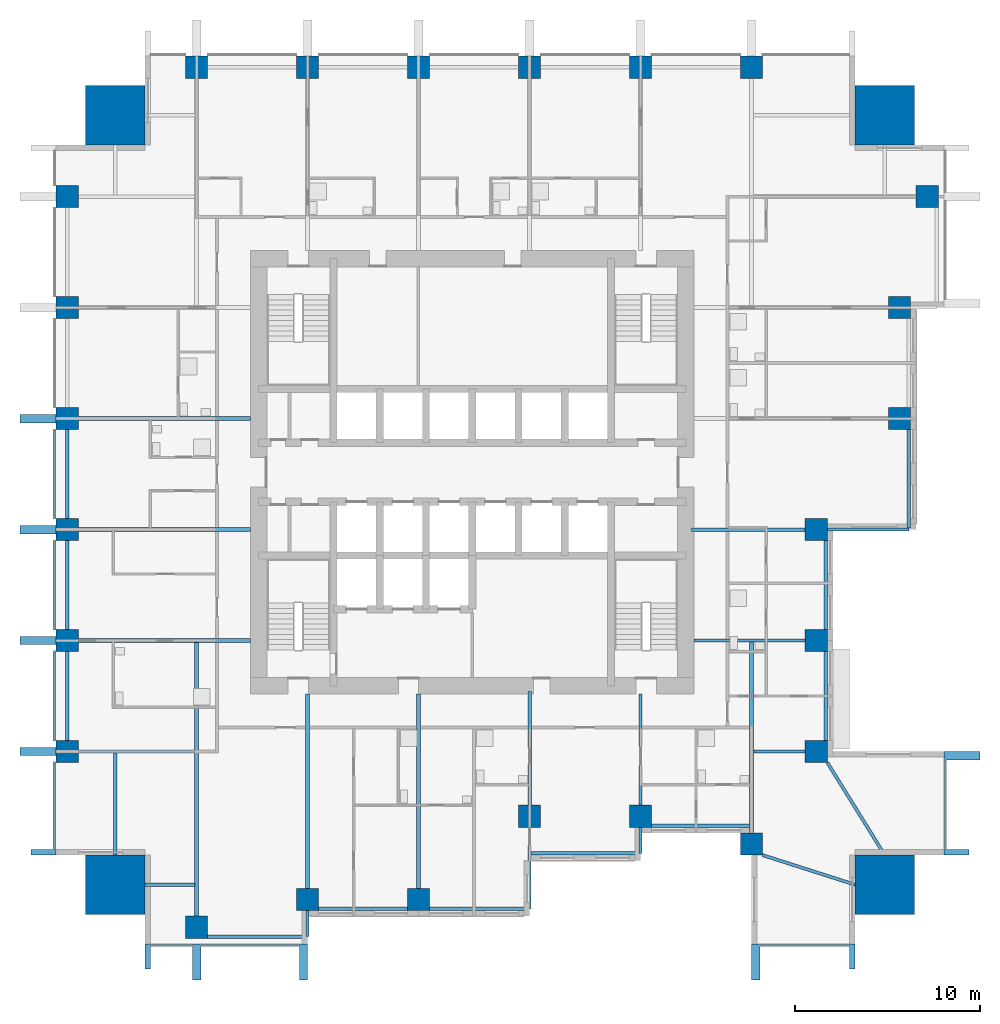
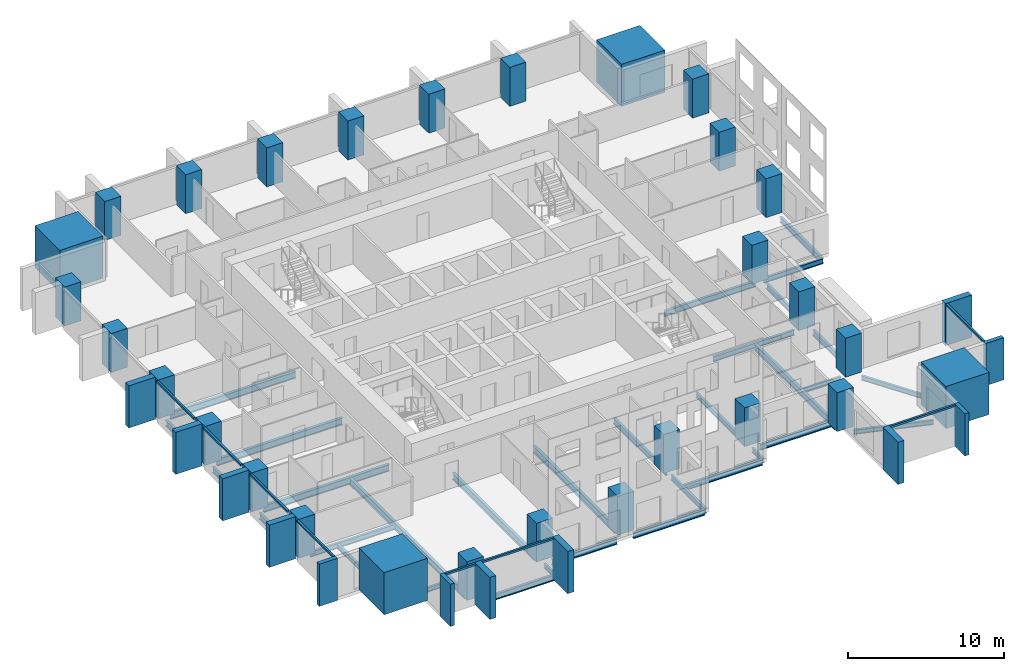
# One storey, part 1 of 11: 32 beams, 28 columns, 20 members, 4 elements without a shape of their own.
"""IFC4 building model written with IfcOpenShell, lengths in metres."""

import ifcopenshell
import ifcopenshell.guid

model = None  # the IFC model being written
_history = None  # IfcOwnerHistory: only IFC2X3 demands one
_inside = {}  # id of a spatial element -> (the spatial element, [elements in it])
_under = {}  # id of a project, library or spatial element -> (it, [spatial elements below it])
_declared = {}  # id of a project -> (the project, [libraries it declares])
_typed = {}  # id of a type object -> (the type object, [elements of that type])
_made_of = {}  # id of a material, layer set ... -> (it, [elements and type objects made of it])


def new_model(schema):
    """Start an empty IFC model of exactly this schema.

    Asked for "IFC4X3", IfcOpenShell would pick the latest addendum, in which some entities
    have other attributes; the version numbers below select the first issue.
    IFC2X3 requires an IfcOwnerHistory on every rooted entity: one is made here for all.
    """
    global model, _history
    if schema == "IFC4X3":
        model = ifcopenshell.file(schema_version=(4, 3, 0, 0))
    else:
        model = ifcopenshell.file(schema=schema)
    _inside.clear()
    _under.clear()
    _declared.clear()
    _typed.clear()
    _made_of.clear()
    _history = None
    if model.schema == "IFC2X3":
        org = make("IfcOrganization", Name="unknown")
        user = make(
            "IfcPersonAndOrganization",
            ThePerson=make("IfcPerson", FamilyName="unknown"),
            TheOrganization=org,
        )
        app = make(
            "IfcApplication",
            ApplicationDeveloper=org,
            Version="unknown",
            ApplicationFullName="unknown",
            ApplicationIdentifier="unknown",
        )
        _history = make(
            "IfcOwnerHistory",
            OwningUser=user,
            OwningApplication=app,
            ChangeAction="ADDED",
            CreationDate=0,
        )
    return model


def make(cls, **values):
    """One entity of the class cls with the attributes given. An attribute that is None is left unset."""
    return model.create_entity(
        cls, **{name: value for name, value in values.items() if value is not None}
    )


def rooted(cls, **values):
    """An entity with a GlobalId (a new one), such as an element, a storey or a relation."""
    return make(cls, GlobalId=ifcopenshell.guid.new(), OwnerHistory=_history, **values)


def si_unit(unit_type, name, prefix=None):
    """IfcSIUnit, for example si_unit("LENGTHUNIT", "METRE", prefix="MILLI")."""
    return make("IfcSIUnit", UnitType=unit_type, Prefix=prefix, Name=name)


def assignment(units):
    """IfcUnitAssignment: the units of a project."""
    return None if units is None else make("IfcUnitAssignment", Units=units)


def point(xyz):
    """IfcCartesianPoint."""
    return None if xyz is None else make("IfcCartesianPoint", Coordinates=xyz)


def direction(xyz):
    """IfcDirection."""
    return None if xyz is None else make("IfcDirection", DirectionRatios=xyz)


def frame(location, z_axis=None, x_axis=None):
    """IfcAxis2Placement3D, a coordinate frame: its origin and axes. An axis left out is left unset."""
    return make(
        "IfcAxis2Placement3D",
        Location=point(location),
        Axis=direction(z_axis),
        RefDirection=direction(x_axis),
    )


def frame_2d(location, x_axis=None):
    """IfcAxis2Placement2D, a coordinate frame in the plane: its origin and x axis."""
    return make(
        "IfcAxis2Placement2D", Location=point(location), RefDirection=direction(x_axis)
    )


def origin():
    """The frame at (0, 0, 0) with its axes left unset."""
    return frame((0.0, 0.0, 0.0))


def origin_2d():
    """The frame at (0, 0) in the plane with its x axis left unset."""
    return frame_2d((0.0, 0.0))


def place(relative_to, where):
    """IfcLocalPlacement: puts the frame where relative to a parent placement (None: the world)."""
    return make(
        "IfcLocalPlacement", PlacementRelTo=relative_to, RelativePlacement=where
    )


def context(
    kind, dimensions, precision=None, world=None, true_north=None, identifier=None
):
    """IfcGeometricRepresentationContext, for example the 3D "Model" context."""
    return make(
        "IfcGeometricRepresentationContext",
        ContextIdentifier=identifier,
        ContextType=kind,
        CoordinateSpaceDimension=dimensions,
        Precision=precision,
        WorldCoordinateSystem=world,
        TrueNorth=true_north,
    )


def subcontext(parent, identifier, kind, view, scale=None):
    """IfcGeometricRepresentationSubContext, for example "Body" below "Model"."""
    return make(
        "IfcGeometricRepresentationSubContext",
        ContextIdentifier=identifier,
        ContextType=kind,
        ParentContext=parent,
        TargetScale=scale,
        TargetView=view,
    )


def project(units=None, contexts=None):
    """IfcProject with its units and contexts."""
    return rooted(
        "IfcProject",
        Name="project",
        RepresentationContexts=contexts,
        UnitsInContext=assignment(units),
    )


def spatial(cls, under=None, at=None, **own):
    """A site, building, storey or space (cls), placed at a placement, below another one or the project."""
    s = rooted(cls, ObjectPlacement=at, **own)
    if under is not None:
        _under.setdefault(under.id(), (under, []))[1].append(s)
    return s


def profile(cls, at=None, kind="AREA", **sizes):
    """A parametric profile (cls). Its sizes go by their IFC names, for example OverallWidth=200.0."""
    return make(cls, ProfileType=kind, Position=at, **sizes)


def rectangle(**sizes):
    """IfcRectangleProfileDef."""
    return profile("IfcRectangleProfileDef", **sizes)


def i_section(**sizes):
    """IfcIShapeProfileDef."""
    return profile("IfcIShapeProfileDef", **sizes)


def extrude(swept, where, along, depth):
    """IfcExtrudedAreaSolid: the profile swept, set in the frame where, extruded along a direction by depth."""
    return make(
        "IfcExtrudedAreaSolid",
        SweptArea=swept,
        Position=where,
        ExtrudedDirection=direction(along),
        Depth=depth,
    )


def shape(context_of_items, identifier, shape_type, items):
    """IfcShapeRepresentation: the items that make up one representation, for example the "Body"."""
    return make(
        "IfcShapeRepresentation",
        ContextOfItems=context_of_items,
        RepresentationIdentifier=identifier,
        RepresentationType=shape_type,
        Items=items,
    )


def material(Name=None, Category=None):
    """IfcMaterial."""
    return make("IfcMaterial", Name=Name, Category=Category)


def material_profile(
    of_material, cross_section, Name=None, Category=None, Priority=None
):
    """IfcMaterialProfile: a cross section and its material."""
    return make(
        "IfcMaterialProfile",
        Name=Name,
        Material=of_material,
        Profile=cross_section,
        Priority=Priority,
        Category=Category,
    )


def profile_set(profiles, Name=None, composite=None):
    """IfcMaterialProfileSet."""
    return make(
        "IfcMaterialProfileSet",
        Name=Name,
        MaterialProfiles=profiles,
        CompositeProfile=composite,
    )


def made_of(thing, what):
    """Note that an element or type object is made of a material, layer set ...; save() writes the relation."""
    if what is not None:
        _made_of.setdefault(what.id(), (what, []))[1].append(thing)
    return thing


def type_object(cls, material=None, **own):
    """A type object (cls), such as IfcWallType, which elements share."""
    return made_of(rooted(cls, **own), material)


def element(
    cls,
    number,
    at=None,
    inside=None,
    cuts=None,
    type_object=None,
    material=None,
    context=None,
    identifier="Body",
    shape_type=None,
    held_by="IfcProductDefinitionShape",
    body=None,
    shapes=None,
    **own,
):
    """One element of the class cls, such as IfcWall. Its Tag is "e" and its number.

    at: its placement. inside: the storey or other place that contains it. cuts: it is an
    opening in that element (IfcRelVoidsElement). A single representation is given by context,
    identifier, shape_type and body (its items); several are given by shapes. held_by: the class
    of the entity that holds the representations. save() writes the other relations.
    """
    e = rooted(cls, Tag="e%d" % number, ObjectPlacement=at, **own)
    if body is not None:
        shapes = [shape(context, identifier, shape_type, body)]
    if shapes is not None:
        e.Representation = make(held_by, Representations=shapes)
    if inside is not None:
        _inside.setdefault(inside.id(), (inside, []))[1].append(e)
    if cuts is not None:
        rooted(
            "IfcRelVoidsElement", RelatingBuildingElement=cuts, RelatedOpeningElement=e
        )
    if type_object is not None:
        _typed.setdefault(type_object.id(), (type_object, []))[1].append(e)
    return made_of(e, material)


def aggregate(whole, parts):
    """IfcRelAggregates: a whole, such as a stair, and the parts it consists of."""
    return rooted("IfcRelAggregates", RelatingObject=whole, RelatedObjects=parts)


def save(model, path):
    """Write the relations noted so far, then the file.

    IfcRelAggregates (storeys below a building ...), IfcRelContainedInSpatialStructure (elements
    in a storey), IfcRelDefinesByType, IfcRelAssociatesMaterial and IfcRelDeclares: one each for
    every whole, place, type object, material and project.
    """
    for whole, parts in _under.values():
        aggregate(whole, parts)
    for where, things in _inside.values():
        rooted(
            "IfcRelContainedInSpatialStructure",
            RelatedElements=things,
            RelatingStructure=where,
        )
    for kind, things in _typed.values():
        rooted("IfcRelDefinesByType", RelatedObjects=things, RelatingType=kind)
    for what, things in _made_of.values():
        rooted("IfcRelAssociatesMaterial", RelatedObjects=things, RelatingMaterial=what)
    for by, libraries in _declared.values():
        rooted("IfcRelDeclares", RelatingContext=by, RelatedDefinitions=libraries)
    model.write(path)


model = new_model("IFC4")

# Units and contexts
model_context = context("Model", 3, precision=1e-05, world=origin(), true_north=direction((0.0, 1.0)))
body_context = subcontext(model_context, "Body", "Model", "MODEL_VIEW")
ifc_project = project(units=[si_unit("LENGTHUNIT", "METRE"), si_unit("AREAUNIT", "SQUARE_METRE"), si_unit("VOLUMEUNIT", "CUBIC_METRE"), si_unit("PLANEANGLEUNIT", "RADIAN"), si_unit("MASSUNIT", "GRAM", prefix="KILO")], contexts=[model_context])

# Site, building, storey
site_placement = place(None, origin())
site = spatial("IfcSite", under=ifc_project, at=site_placement, CompositionType="ELEMENT")
building_placement = place(site_placement, origin())
building = spatial("IfcBuilding", under=site, at=building_placement, Name="Amberfall Residences", CompositionType="ELEMENT")
storey_placement = place(building_placement, frame((0.0, 0.0, 59.800048828125)))
storey = spatial("IfcBuildingStorey", under=building, at=storey_placement, Name="L16", CompositionType="ELEMENT", Elevation=59.800048828125)

# Columns
ifc_material_1 = material(Name="Concrete C80", Category="concrete")
ifc_material_profile_1 = material_profile(ifc_material_1, rectangle(XDim=1.199951171875, YDim=1.199951171875, at=origin_2d()), Name="Column 1200 x 1200 C80")
ifc_profile_set_1 = profile_set([ifc_material_profile_1], Name="Concrete C80")
column_type_1 = type_object("IfcColumnType", Name="Column 1200 x 1200 C80", PredefinedType="COLUMN", material=ifc_profile_set_1)
for number, where, z_axis, x_axis, name in (
    (1, (59.60009765625, 20.89990234375, 0.0), (0.0, 0.0, 1.0), (1.0, 0.0, 0.0), "Column C1 L16 S1"),
    (2, (65.60009765625, 22.39990234375, 0.0), (0.0, 0.0, 1.0), (1.0, 0.0, 0.0), "Column C1 L16 S2"),
    (3, (71.60009765625, 22.39990234375, 0.0), (0.0, 0.0, 1.0), (1.0, 0.0, 0.0), "Column C1 L16 S3"),
    (4, (77.60009765625, 26.89990234375, 0.0), (0.0, 0.0, 1.0), (1.0, 0.0, 0.0), "Column C1 L16 S4"),
    (5, (83.60009765625, 26.89990234375, 0.0), (0.0, 0.0, 1.0), (1.0, 0.0, 0.0), "Column C1 L16 S5"),
    (6, (89.60009765625, 25.39990234375, 0.0), (0.0, 0.0, 1.0), (1.0, 0.0, 0.0), "Column C1 L16 S6"),
    (7, (93.10009765625, 30.39990234375, 0.0), (0.0, 0.0, 1.0), (1.0, 0.0, 0.0), "Column C1 L16 E1"),
    (8, (93.10009765625, 36.39990234375, 0.0), (0.0, 0.0, 1.0), (1.0, 0.0, 0.0), "Column C1 L16 E2"),
    (9, (93.10009765625, 42.39990234375, 0.0), (0.0, 0.0, 1.0), (1.0, 0.0, 0.0), "Column C1 L16 E3"),
    (10, (97.60009765625, 48.39990234375, 0.0), (0.0, 0.0, 1.0), (1.0, 0.0, 0.0), "Column C1 L16 E4"),
    (11, (97.60009765625, 54.39990234375, 0.0), (0.0, 0.0, 1.0), (1.0, 0.0, 0.0), "Column C1 L16 E5"),
    (12, (99.10009765625, 60.39990234375, 0.0), (0.0, 0.0, 1.0), (1.0, 0.0, 0.0), "Column C1 L16 E6"),
    (13, (59.60009765625, 67.39990234375, 0.0), (0.0, 0.0, 1.0), (1.0, 0.0, 0.0), "Column C1 L16 N1"),
    (14, (65.60009765625, 67.39990234375, 0.0), (0.0, 0.0, 1.0), (1.0, 0.0, 0.0), "Column C1 L16 N2"),
    (15, (71.60009765625, 67.39990234375, 0.0), (0.0, 0.0, 1.0), (1.0, 0.0, 0.0), "Column C1 L16 N3"),
    (16, (77.60009765625, 67.39990234375, 0.0), (0.0, 0.0, 1.0), (1.0, 0.0, 0.0), "Column C1 L16 N4"),
    (17, (83.60009765625, 67.39990234375, 0.0), (0.0, 0.0, 1.0), (1.0, 0.0, 0.0), "Column C1 L16 N5"),
    (18, (89.60009765625, 67.39990234375, 0.0), (0.0, 0.0, 1.0), (1.0, 0.0, 0.0), "Column C1 L16 N6"),
    (19, (52.60009765625, 30.39990234375, 0.0), (0.0, 0.0, 1.0), (1.0, 0.0, 0.0), "Column C1 L16 W1"),
    (20, (52.60009765625, 36.39990234375, 0.0), (0.0, 0.0, 1.0), (1.0, 0.0, 0.0), "Column C1 L16 W2"),
    (21, (52.60009765625, 42.39990234375, 0.0), (0.0, 0.0, 1.0), (1.0, 0.0, 0.0), "Column C1 L16 W3"),
    (22, (52.60009765625, 48.39990234375, 0.0), (0.0, 0.0, 1.0), (1.0, 0.0, 0.0), "Column C1 L16 W4"),
    (23, (52.60009765625, 54.39990234375, 0.0), (0.0, 0.0, 1.0), (1.0, 0.0, 0.0), "Column C1 L16 W5"),
    (24, (52.60009765625, 60.39990234375, 0.0), (0.0, 0.0, 1.0), (1.0, 0.0, 0.0), "Column C1 L16 W6"),
):
    element("IfcColumn", number, at=place(storey_placement, frame(where, z_axis=z_axis, x_axis=x_axis)), inside=storey, type_object=column_type_1, Name=name, PredefinedType="COLUMN", context=body_context, shape_type="SweptSolid", body=[
        extrude(rectangle(XDim=1.199951171875, YDim=1.199951171875, at=origin_2d()), origin(), (0.0, 0.0, 1.0), 3.050048828125),
    ])
ifc_material_profile_2 = material_profile(ifc_material_1, rectangle(XDim=3.199951171875, YDim=3.199951171875, at=origin_2d()), Name="Mega column 3200 x 3200 C80")
ifc_profile_set_2 = profile_set([ifc_material_profile_2], Name="Concrete C80")
column_type_2 = type_object("IfcColumnType", Name="Mega column 3200 x 3200 C80", PredefinedType="COLUMN", material=ifc_profile_set_2)
for number, where, z_axis, x_axis, name in (
    (25, (55.199951171875, 23.199951171875, 0.0), (0.0, 0.0, 1.0), (1.0, 0.0, 0.0), "Mega column MC1 L16 SW"),
    (26, (96.800048828125, 23.199951171875, 0.0), (0.0, 0.0, 1.0), (1.0, 0.0, 0.0), "Mega column MC1 L16 SE"),
    (27, (96.800048828125, 64.800048828125, 0.0), (0.0, 0.0, 1.0), (1.0, 0.0, 0.0), "Mega column MC1 L16 NE"),
    (28, (55.199951171875, 64.800048828125, 0.0), (0.0, 0.0, 1.0), (1.0, 0.0, 0.0), "Mega column MC1 L16 NW"),
):
    element("IfcColumn", number, at=place(storey_placement, frame(where, z_axis=z_axis, x_axis=x_axis)), inside=storey, type_object=column_type_2, Name=name, PredefinedType="COLUMN", context=body_context, shape_type="SweptSolid", body=[
        extrude(rectangle(XDim=3.199951171875, YDim=3.199951171875, at=origin_2d()), origin(), (0.0, 0.0, 1.0), 3.300048828125),
    ])

# Curtain wall, members
ifc_material_2 = material(Name="Bronze anodised aluminium and glass", Category="aluminium")
curtain_wall_type = type_object("IfcCurtainWallType", Name="Curtain wall CW1 tower unit", PredefinedType="USERDEFINED", material=ifc_material_2)
curtain_wall_1_placement = place(storey_placement, origin())
curtain_wall_1 = element("IfcCurtainWall", 29, at=curtain_wall_1_placement, inside=storey, type_object=curtain_wall_type, Name="Curtain wall L16 S S1", ObjectType="UNITISED CURTAIN WALL", PredefinedType="USERDEFINED")
ifc_material_3 = material(Name="Bronze anodised aluminium", Category="aluminium")
ifc_material_profile_3 = material_profile(ifc_material_3, rectangle(XDim=0.14990234375, YDim=0.14990234375, at=origin_2d()), Name="CW1 transom 150 x 150 bronze")
ifc_profile_set_3 = profile_set([ifc_material_profile_3], Name="Bronze anodised aluminium")
member_type_1 = type_object("IfcMemberType", Name="CW1 transom 150 x 150 bronze", PredefinedType="USERDEFINED", material=ifc_profile_set_3)
member_1_placement = place(storey_placement, frame((57.10009765625, 19.925048828125, 2.974853515625), z_axis=(1.0, 0.0, 0.0), x_axis=(0.0, 1.0, 0.0)))
member_1 = element("IfcMember", 30, at=member_1_placement, type_object=member_type_1, Name="CW1 transom 1.1", ObjectType="TRANSOM", PredefinedType="USERDEFINED", context=body_context, shape_type="SweptSolid", body=[
    extrude(rectangle(XDim=0.14990234375, YDim=0.14990234375, at=origin_2d()), origin(), (0.0, 0.0, 1.0), 2.27490234375),
])
member_2_placement = place(storey_placement, frame((59.824951171875, 19.925048828125, 2.974853515625), z_axis=(1.0, 0.0, 0.0), x_axis=(0.0, 1.0, 0.0)))
member_2 = element("IfcMember", 31, at=member_2_placement, type_object=member_type_1, Name="CW1 transom 2.1", ObjectType="TRANSOM", PredefinedType="USERDEFINED", context=body_context, shape_type="SweptSolid", body=[
    extrude(rectangle(XDim=0.14990234375, YDim=0.14990234375, at=origin_2d()), origin(), (0.0, 0.0, 1.0), 5.324951171875),
])

# Curtain wall, member
curtain_wall_2_placement = place(storey_placement, origin())
curtain_wall_2 = element("IfcCurtainWall", 32, at=curtain_wall_2_placement, inside=storey, type_object=curtain_wall_type, Name="Curtain wall L16 S S10", ObjectType="UNITISED CURTAIN WALL", PredefinedType="USERDEFINED")
member_3_placement = place(storey_placement, frame((90.050048828125, 19.925048828125, 2.974853515625), z_axis=(1.0, 0.0, 0.0), x_axis=(0.0, 1.0, 0.0)))
member_3 = element("IfcMember", 33, at=member_3_placement, type_object=member_type_1, Name="CW1 transom 1.1", ObjectType="TRANSOM", PredefinedType="USERDEFINED", context=body_context, shape_type="SweptSolid", body=[
    extrude(rectangle(XDim=0.14990234375, YDim=0.14990234375, at=origin_2d()), origin(), (0.0, 0.0, 1.0), 4.849853515625),
])

curtain_wall_3_placement = place(storey_placement, origin())
curtain_wall_3 = element("IfcCurtainWall", 34, at=curtain_wall_3_placement, inside=storey, type_object=curtain_wall_type, Name="Curtain wall L16 E E1", ObjectType="UNITISED CURTAIN WALL", PredefinedType="USERDEFINED")
member_4_placement = place(storey_placement, frame((100.074951171875, 25.10009765625, 2.974853515625), z_axis=(0.0, 1.0, 0.0), x_axis=(-1.0, 0.0, 0.0)))
member_4 = element("IfcMember", 35, at=member_4_placement, type_object=member_type_1, Name="CW1 transom 1.1", ObjectType="TRANSOM", PredefinedType="USERDEFINED", context=body_context, shape_type="SweptSolid", body=[
    extrude(rectangle(XDim=0.14990234375, YDim=0.14990234375, at=origin_2d()), origin(), (0.0, 0.0, 1.0), 4.849853515625),
])

# Curtain wall, members
curtain_wall_4_placement = place(storey_placement, origin())
curtain_wall_4 = element("IfcCurtainWall", 36, at=curtain_wall_4_placement, inside=storey, type_object=curtain_wall_type, Name="Curtain wall L16 W W1", ObjectType="UNITISED CURTAIN WALL", PredefinedType="USERDEFINED")
member_5_placement = place(storey_placement, frame((51.925048828125, 47.794921875, 2.974853515625), z_axis=(0.0, -1.0, 0.0), x_axis=(1.0, 0.0, 0.0)))
member_5 = element("IfcMember", 37, at=member_5_placement, type_object=member_type_1, Name="CW1 transom 4.1", ObjectType="TRANSOM", PredefinedType="USERDEFINED", context=body_context, shape_type="SweptSolid", body=[
    extrude(rectangle(XDim=0.14990234375, YDim=0.14990234375, at=origin_2d()), origin(), (0.0, 0.0, 1.0), 4.7900390625),
])
member_6_placement = place(storey_placement, frame((51.925048828125, 41.794921875, 2.974853515625), z_axis=(0.0, -1.0, 0.0), x_axis=(1.0, 0.0, 0.0)))
member_6 = element("IfcMember", 38, at=member_6_placement, type_object=member_type_1, Name="CW1 transom 5.1", ObjectType="TRANSOM", PredefinedType="USERDEFINED", context=body_context, shape_type="SweptSolid", body=[
    extrude(rectangle(XDim=0.14990234375, YDim=0.14990234375, at=origin_2d()), origin(), (0.0, 0.0, 1.0), 4.7900390625),
])
member_7_placement = place(storey_placement, frame((51.925048828125, 35.794921875, 2.974853515625), z_axis=(0.0, -1.0, 0.0), x_axis=(1.0, 0.0, 0.0)))
member_7 = element("IfcMember", 39, at=member_7_placement, type_object=member_type_1, Name="CW1 transom 6.1", ObjectType="TRANSOM", PredefinedType="USERDEFINED", context=body_context, shape_type="SweptSolid", body=[
    extrude(rectangle(XDim=0.14990234375, YDim=0.14990234375, at=origin_2d()), origin(), (0.0, 0.0, 1.0), 4.7900390625),
])
member_8_placement = place(storey_placement, frame((51.925048828125, 29.794921875, 2.974853515625), z_axis=(0.0, -1.0, 0.0), x_axis=(1.0, 0.0, 0.0)))
member_8 = element("IfcMember", 40, at=member_8_placement, type_object=member_type_1, Name="CW1 transom 7.1", ObjectType="TRANSOM", PredefinedType="USERDEFINED", context=body_context, shape_type="SweptSolid", body=[
    extrude(rectangle(XDim=0.14990234375, YDim=0.14990234375, at=origin_2d()), origin(), (0.0, 0.0, 1.0), 4.69482421875),
])

# Beams
ifc_material_4 = material(Name="Steel S355", Category="steel")
ifc_material_profile_4 = material_profile(ifc_material_4, i_section(OverallWidth=0.171142578125, OverallDepth=0.351318359375, WebThickness=0.007080078125, FlangeThickness=0.009765625, FilletRadius=0.01025390625, at=origin_2d()), Name="UB 356x171x45")
ifc_profile_set_4 = profile_set([ifc_material_profile_4], Name="Steel S355")
beam_type_1 = type_object("IfcBeamType", Name="Cantilever girder UB 356x171x45", PredefinedType="BEAM", material=ifc_profile_set_4)
for number, where, z_axis, x_axis, name in (
    (41, (65.60009765625, 21.800048828125, -0.42578125), (0.0, -1.0, 0.0), (1.0, 0.0, 0.0), "Cantilever girder B8 L16 06"),
    (42, (83.60009765625, 26.300048828125, -0.42578125), (0.0, -1.0, 0.0), (1.0, 0.0, 0.0), "Cantilever girder B8 L16 08"),
):
    element("IfcBeam", number, at=place(storey_placement, frame(where, z_axis=z_axis, x_axis=x_axis)), inside=storey, type_object=beam_type_1, Name=name, PredefinedType="BEAM", context=body_context, shape_type="SweptSolid", body=[
        extrude(i_section(OverallWidth=0.171142578125, OverallDepth=0.351318359375, WebThickness=0.007080078125, FlangeThickness=0.009765625, FilletRadius=0.01025390625, at=origin_2d()), origin(), (0.0, 0.0, 1.0), 1.400146484375),
    ])
ifc_material_profile_5 = material_profile(ifc_material_4, i_section(OverallWidth=0.177734375, OverallDepth=0.402587890625, WebThickness=0.0078125, FlangeThickness=0.010986328125, FilletRadius=0.01025390625, at=origin_2d()), Name="UB 406x178x54")
ifc_profile_set_5 = profile_set([ifc_material_profile_5], Name="Steel S355")
beam_type_2 = type_object("IfcBeamType", Name="Cantilever girder UB 406x178x54", PredefinedType="BEAM", material=ifc_profile_set_5)
for number, where, z_axis, x_axis, name in (
    (43, (77.60009765625, 26.300048828125, -0.451416015625), (0.0, -1.0, 0.0), (1.0, 0.0, 0.0), "Cantilever girder B9 L16 07"),
    (44, (93.699951171875, 42.39990234375, -0.451416015625), (1.0, 0.0, 0.0), (0.0, 1.0, 0.0), "Cantilever girder B9 L16 20"),
):
    element("IfcBeam", number, at=place(storey_placement, frame(where, z_axis=z_axis, x_axis=x_axis)), inside=storey, type_object=beam_type_2, Name=name, PredefinedType="BEAM", context=body_context, shape_type="SweptSolid", body=[
        extrude(i_section(OverallWidth=0.177734375, OverallDepth=0.402587890625, WebThickness=0.0078125, FlangeThickness=0.010986328125, FilletRadius=0.01025390625, at=origin_2d()), origin(), (0.0, 0.0, 1.0), 4.400146484375),
    ])

# Member
ifc_material_profile_6 = material_profile(ifc_material_3, rectangle(XDim=1.35009765625, YDim=0.300048828125, at=origin_2d()), Name="Corner fin 300 x 1350 bronze")
ifc_profile_set_6 = profile_set([ifc_material_profile_6], Name="Bronze anodised aluminium")
member_type_2 = type_object("IfcMemberType", Name="Corner fin 300 x 1350 bronze", PredefinedType="MULLION", material=ifc_profile_set_6)
member_9_placement = place(storey_placement, frame((56.949951171875, 19.324951171875, -0.25), z_axis=(0.0, 0.0, 1.0), x_axis=(0.0, 1.0, 0.0)))
member_9 = element("IfcMember", 45, at=member_9_placement, type_object=member_type_2, Name="CW FIN 1", PredefinedType="MULLION", context=body_context, shape_type="SweptSolid", body=[
    extrude(rectangle(XDim=1.35009765625, YDim=0.300048828125, at=origin_2d()), origin(), (0.0, 0.0, 1.0), 3.300048828125),
])

member_10_placement = place(storey_placement, frame((95.050048828125, 19.324951171875, -0.25), z_axis=(0.0, 0.0, 1.0), x_axis=(0.0, 1.0, 0.0)))
member_10 = element("IfcMember", 46, at=member_10_placement, type_object=member_type_2, Name="CW FIN 2", PredefinedType="MULLION", context=body_context, shape_type="SweptSolid", body=[
    extrude(rectangle(XDim=1.35009765625, YDim=0.300048828125, at=origin_2d()), origin(), (0.0, 0.0, 1.0), 3.300048828125),
])

member_11_placement = place(storey_placement, frame((100.675048828125, 24.949951171875, -0.25), z_axis=(0.0, 0.0, 1.0), x_axis=(-1.0, 0.0, 0.0)))
member_11 = element("IfcMember", 47, at=member_11_placement, type_object=member_type_2, Name="CW FIN 1", PredefinedType="MULLION", context=body_context, shape_type="SweptSolid", body=[
    extrude(rectangle(XDim=1.35009765625, YDim=0.300048828125, at=origin_2d()), origin(), (0.0, 0.0, 1.0), 3.300048828125),
])

member_12_placement = place(storey_placement, frame((51.324951171875, 24.949951171875, -0.25), z_axis=(0.0, 0.0, 1.0), x_axis=(1.0, 0.0, 0.0)))
member_12 = element("IfcMember", 48, at=member_12_placement, type_object=member_type_2, Name="CW FIN 8", PredefinedType="MULLION", context=body_context, shape_type="SweptSolid", body=[
    extrude(rectangle(XDim=1.35009765625, YDim=0.300048828125, at=origin_2d()), origin(), (0.0, 0.0, 1.0), 3.300048828125),
])

# Beams
ifc_material_profile_7 = material_profile(ifc_material_4, i_section(OverallWidth=0.18994140625, OverallDepth=0.453369140625, WebThickness=0.008544921875, FlangeThickness=0.0126953125, FilletRadius=0.01025390625, at=origin_2d()), Name="UB 457x191x67")
ifc_profile_set_7 = profile_set([ifc_material_profile_7], Name="Steel S355")
beam_type_3 = type_object("IfcBeamType", Name="Edge beam UB 457x191x67", PredefinedType="SPANDREL", material=ifc_profile_set_7)
beam_1_placement = place(storey_placement, frame((60.199951171875, 20.39990234375, -0.476806640625), z_axis=(1.0, 0.0, 0.0), x_axis=(0.0, 1.0, 0.0)))
element("IfcBeam", 49, at=beam_1_placement, inside=storey, type_object=beam_type_3, Name="Edge beam B1 L16 01", PredefinedType="SPANDREL", context=body_context, shape_type="SweptSolid", body=[
    extrude(i_section(OverallWidth=0.18994140625, OverallDepth=0.453369140625, WebThickness=0.008544921875, FlangeThickness=0.0126953125, FilletRadius=0.01025390625, at=origin_2d()), origin(), (0.0, 0.0, 1.0), 5.320068359375),
])
beam_2_placement = place(storey_placement, frame((66.199951171875, 21.89990234375, -0.476806640625), z_axis=(1.0, 0.0, 0.0), x_axis=(0.0, 1.0, 0.0)))
element("IfcBeam", 50, at=beam_2_placement, inside=storey, type_object=beam_type_3, Name="Edge beam B1 L16 02", PredefinedType="SPANDREL", context=body_context, shape_type="SweptSolid", body=[
    extrude(i_section(OverallWidth=0.18994140625, OverallDepth=0.453369140625, WebThickness=0.008544921875, FlangeThickness=0.0126953125, FilletRadius=0.01025390625, at=origin_2d()), origin(), (0.0, 0.0, 1.0), 4.800048828125),
])
beam_3_placement = place(storey_placement, frame((72.199951171875, 21.89990234375, -0.476806640625), z_axis=(1.0, 0.0, 0.0), x_axis=(0.0, 1.0, 0.0)))
element("IfcBeam", 51, at=beam_3_placement, inside=storey, type_object=beam_type_3, Name="Edge beam B1 L16 03", PredefinedType="SPANDREL", context=body_context, shape_type="SweptSolid", body=[
    extrude(i_section(OverallWidth=0.18994140625, OverallDepth=0.453369140625, WebThickness=0.008544921875, FlangeThickness=0.0126953125, FilletRadius=0.01025390625, at=origin_2d()), origin(), (0.0, 0.0, 1.0), 5.320068359375),
])
beam_4_placement = place(storey_placement, frame((77.679931640625, 24.89990234375, -0.476806640625), z_axis=(1.0, 0.0, 0.0), x_axis=(0.0, 1.0, 0.0)))
element("IfcBeam", 52, at=beam_4_placement, inside=storey, type_object=beam_type_3, Name="Edge beam B1 L16 04", PredefinedType="SPANDREL", context=body_context, shape_type="SweptSolid", body=[
    extrude(i_section(OverallWidth=0.18994140625, OverallDepth=0.453369140625, WebThickness=0.008544921875, FlangeThickness=0.0126953125, FilletRadius=0.01025390625, at=origin_2d()), origin(), (0.0, 0.0, 1.0), 5.840087890625),
])
beam_5_placement = place(storey_placement, frame((84.199951171875, 26.39990234375, -0.476806640625), z_axis=(1.0, 0.0, 0.0), x_axis=(0.0, 1.0, 0.0)))
element("IfcBeam", 53, at=beam_5_placement, inside=storey, type_object=beam_type_3, Name="Edge beam B1 L16 05", PredefinedType="SPANDREL", context=body_context, shape_type="SweptSolid", body=[
    extrude(i_section(OverallWidth=0.18994140625, OverallDepth=0.453369140625, WebThickness=0.008544921875, FlangeThickness=0.0126953125, FilletRadius=0.01025390625, at=origin_2d()), origin(), (0.0, 0.0, 1.0), 5.320068359375),
])
for number, where, z_axis, x_axis, name in (
    (54, (93.60009765625, 31.0, -0.476806640625), (0.0, 1.0, 0.0), (-1.0, 0.0, 0.0), "Edge beam B1 L16 15"),
    (55, (93.60009765625, 37.0, -0.476806640625), (0.0, 1.0, 0.0), (-1.0, 0.0, 0.0), "Edge beam B1 L16 16"),
):
    element("IfcBeam", number, at=place(storey_placement, frame(where, z_axis=z_axis, x_axis=x_axis)), inside=storey, type_object=beam_type_3, Name=name, PredefinedType="SPANDREL", context=body_context, shape_type="SweptSolid", body=[
        extrude(i_section(OverallWidth=0.18994140625, OverallDepth=0.453369140625, WebThickness=0.008544921875, FlangeThickness=0.0126953125, FilletRadius=0.01025390625, at=origin_2d()), origin(), (0.0, 0.0, 1.0), 4.800048828125),
    ])
beam_6_placement = place(storey_placement, frame((98.10009765625, 42.47998046875, -0.476806640625), z_axis=(0.0, 1.0, 0.0), x_axis=(-1.0, 0.0, 0.0)))
element("IfcBeam", 56, at=beam_6_placement, inside=storey, type_object=beam_type_3, Name="Edge beam B1 L16 17", PredefinedType="SPANDREL", context=body_context, shape_type="SweptSolid", body=[
    extrude(i_section(OverallWidth=0.18994140625, OverallDepth=0.453369140625, WebThickness=0.008544921875, FlangeThickness=0.0126953125, FilletRadius=0.01025390625, at=origin_2d()), origin(), (0.0, 0.0, 1.0), 5.320068359375),
])
for number, where, z_axis, x_axis, name in (
    (57, (52.60009765625, 31.0, -0.476806640625), (0.0, 1.0, 0.0), (-1.0, 0.0, 0.0), "Edge beam B1 L16 39"),
    (58, (52.60009765625, 37.0, -0.476806640625), (0.0, 1.0, 0.0), (-1.0, 0.0, 0.0), "Edge beam B1 L16 40"),
    (59, (52.60009765625, 43.0, -0.476806640625), (0.0, 1.0, 0.0), (-1.0, 0.0, 0.0), "Edge beam B1 L16 41"),
):
    element("IfcBeam", number, at=place(storey_placement, frame(where, z_axis=z_axis, x_axis=x_axis)), inside=storey, type_object=beam_type_3, Name=name, PredefinedType="SPANDREL", context=body_context, shape_type="SweptSolid", body=[
        extrude(i_section(OverallWidth=0.18994140625, OverallDepth=0.453369140625, WebThickness=0.008544921875, FlangeThickness=0.0126953125, FilletRadius=0.01025390625, at=origin_2d()), origin(), (0.0, 0.0, 1.0), 4.800048828125),
    ])

# Member
ifc_material_profile_8 = material_profile(ifc_material_3, rectangle(XDim=1.949951171875, YDim=0.449951171875, at=origin_2d()), Name="Fin 450 x 1950 bronze")
ifc_profile_set_8 = profile_set([ifc_material_profile_8], Name="Bronze anodised aluminium")
member_type_3 = type_object("IfcMemberType", Name="Fin 450 x 1950 bronze", PredefinedType="MULLION", material=ifc_profile_set_8)
member_13_placement = place(storey_placement, frame((59.60009765625, 19.02490234375, -0.25), z_axis=(0.0, 0.0, 1.0), x_axis=(0.0, 1.0, 0.0)))
member_13 = element("IfcMember", 60, at=member_13_placement, type_object=member_type_3, Name="CW FIN 2", PredefinedType="MULLION", context=body_context, shape_type="SweptSolid", body=[
    extrude(rectangle(XDim=1.949951171875, YDim=0.449951171875, at=origin_2d()), origin(), (0.0, 0.0, 1.0), 3.300048828125),
])

member_14_placement = place(storey_placement, frame((65.375, 19.02490234375, -0.25), z_axis=(0.0, 0.0, 1.0), x_axis=(0.0, 1.0, 0.0)))
member_14 = element("IfcMember", 61, at=member_14_placement, type_object=member_type_3, Name="CW FIN 3", PredefinedType="MULLION", context=body_context, shape_type="SweptSolid", body=[
    extrude(rectangle(XDim=1.949951171875, YDim=0.449951171875, at=origin_2d()), origin(), (0.0, 0.0, 1.0), 3.300048828125),
])

aggregate(curtain_wall_1, [member_9, member_13, member_14, member_1, member_2])

member_15_placement = place(storey_placement, frame((89.824951171875, 19.02490234375, -0.25), z_axis=(0.0, 0.0, 1.0), x_axis=(0.0, 1.0, 0.0)))
member_15 = element("IfcMember", 62, at=member_15_placement, type_object=member_type_3, Name="CW FIN 1", PredefinedType="MULLION", context=body_context, shape_type="SweptSolid", body=[
    extrude(rectangle(XDim=1.949951171875, YDim=0.449951171875, at=origin_2d()), origin(), (0.0, 0.0, 1.0), 3.300048828125),
])

aggregate(curtain_wall_2, [member_15, member_10, member_3])

member_16_placement = place(storey_placement, frame((100.97509765625, 30.175048828125, -0.25), z_axis=(0.0, 0.0, 1.0), x_axis=(-1.0, 0.0, 0.0)))
member_16 = element("IfcMember", 63, at=member_16_placement, type_object=member_type_3, Name="CW FIN 2", PredefinedType="MULLION", context=body_context, shape_type="SweptSolid", body=[
    extrude(rectangle(XDim=1.949951171875, YDim=0.449951171875, at=origin_2d()), origin(), (0.0, 0.0, 1.0), 3.300048828125),
])

aggregate(curtain_wall_3, [member_11, member_16, member_4])

member_17_placement = place(storey_placement, frame((51.02490234375, 48.39990234375, -0.25), z_axis=(0.0, 0.0, 1.0), x_axis=(1.0, 0.0, 0.0)))
member_17 = element("IfcMember", 64, at=member_17_placement, type_object=member_type_3, Name="CW FIN 4", PredefinedType="MULLION", context=body_context, shape_type="SweptSolid", body=[
    extrude(rectangle(XDim=1.949951171875, YDim=0.449951171875, at=origin_2d()), origin(), (0.0, 0.0, 1.0), 3.300048828125),
])

member_18_placement = place(storey_placement, frame((51.02490234375, 42.39990234375, -0.25), z_axis=(0.0, 0.0, 1.0), x_axis=(1.0, 0.0, 0.0)))
member_18 = element("IfcMember", 65, at=member_18_placement, type_object=member_type_3, Name="CW FIN 5", PredefinedType="MULLION", context=body_context, shape_type="SweptSolid", body=[
    extrude(rectangle(XDim=1.949951171875, YDim=0.449951171875, at=origin_2d()), origin(), (0.0, 0.0, 1.0), 3.300048828125),
])

member_19_placement = place(storey_placement, frame((51.02490234375, 36.39990234375, -0.25), z_axis=(0.0, 0.0, 1.0), x_axis=(1.0, 0.0, 0.0)))
member_19 = element("IfcMember", 66, at=member_19_placement, type_object=member_type_3, Name="CW FIN 6", PredefinedType="MULLION", context=body_context, shape_type="SweptSolid", body=[
    extrude(rectangle(XDim=1.949951171875, YDim=0.449951171875, at=origin_2d()), origin(), (0.0, 0.0, 1.0), 3.300048828125),
])

member_20_placement = place(storey_placement, frame((51.02490234375, 30.39990234375, -0.25), z_axis=(0.0, 0.0, 1.0), x_axis=(1.0, 0.0, 0.0)))
member_20 = element("IfcMember", 67, at=member_20_placement, type_object=member_type_3, Name="CW FIN 7", PredefinedType="MULLION", context=body_context, shape_type="SweptSolid", body=[
    extrude(rectangle(XDim=1.949951171875, YDim=0.449951171875, at=origin_2d()), origin(), (0.0, 0.0, 1.0), 3.300048828125),
])

aggregate(curtain_wall_4, [member_17, member_18, member_19, member_20, member_12, member_5, member_6, member_7, member_8])

# Beams
ifc_material_profile_9 = material_profile(ifc_material_4, i_section(OverallWidth=0.171142578125, OverallDepth=0.351318359375, WebThickness=0.007080078125, FlangeThickness=0.009765625, FilletRadius=0.01025390625, at=origin_2d()), Name="UB 356x171x45")
ifc_profile_set_9 = profile_set([ifc_material_profile_9], Name="Steel S355")
beam_type_4 = type_object("IfcBeamType", Name="Floor girder UB 356x171x45", PredefinedType="BEAM", material=ifc_profile_set_9)
beam_7_placement = place(storey_placement, frame((92.5, 30.39990234375, -0.42578125), z_axis=(-1.0, 0.0, 0.0), x_axis=(0.0, -1.0, 0.0)))
element("IfcBeam", 68, at=beam_7_placement, inside=storey, type_object=beam_type_4, Name="Floor girder B11 L16 22", PredefinedType="BEAM", context=body_context, shape_type="SweptSolid", body=[
    extrude(i_section(OverallWidth=0.171142578125, OverallDepth=0.351318359375, WebThickness=0.007080078125, FlangeThickness=0.009765625, FilletRadius=0.01025390625, at=origin_2d()), origin(), (0.0, 0.0, 1.0), 2.780029296875),
])
ifc_material_profile_10 = material_profile(ifc_material_4, i_section(OverallWidth=0.177734375, OverallDepth=0.402587890625, WebThickness=0.0078125, FlangeThickness=0.010986328125, FilletRadius=0.01025390625, at=origin_2d()), Name="UB 406x178x54")
ifc_profile_set_10 = profile_set([ifc_material_profile_10], Name="Steel S355")
beam_type_5 = type_object("IfcBeamType", Name="Floor girder UB 406x178x54", PredefinedType="BEAM", material=ifc_profile_set_10)
for number, where, z_axis, x_axis, name in (
    (69, (83.60009765625, 27.5, -0.451416015625), (0.0, 1.0, 0.0), (-1.0, 0.0, 0.0), "Floor girder B4 L16 13"),
    (70, (92.5, 36.39990234375, -0.451416015625), (-1.0, 0.0, 0.0), (0.0, -1.0, 0.0), "Floor girder B4 L16 23"),
):
    element("IfcBeam", number, at=place(storey_placement, frame(where, z_axis=z_axis, x_axis=x_axis)), inside=storey, type_object=beam_type_5, Name=name, PredefinedType="BEAM", context=body_context, shape_type="SweptSolid", body=[
        extrude(i_section(OverallWidth=0.177734375, OverallDepth=0.402587890625, WebThickness=0.0078125, FlangeThickness=0.010986328125, FilletRadius=0.01025390625, at=origin_2d()), origin(), (0.0, 0.0, 1.0), 6.0),
    ])
beam_8_placement = place(storey_placement, frame((53.199951171875, 30.39990234375, -0.451416015625), z_axis=(1.0, 0.0, 0.0), x_axis=(0.0, 1.0, 0.0)))
element("IfcBeam", 71, at=beam_8_placement, inside=storey, type_object=beam_type_5, Name="Floor girder B4 L16 44", PredefinedType="BEAM", context=body_context, shape_type="SweptSolid", body=[
    extrude(i_section(OverallWidth=0.177734375, OverallDepth=0.402587890625, WebThickness=0.0078125, FlangeThickness=0.010986328125, FilletRadius=0.01025390625, at=origin_2d()), origin(), (0.0, 0.0, 1.0), 6.280029296875),
])
ifc_material_profile_11 = material_profile(ifc_material_4, i_section(OverallWidth=0.19140625, OverallDepth=0.4599609375, WebThickness=0.010009765625, FlangeThickness=0.01611328125, FilletRadius=0.01025390625, at=origin_2d()), Name="UB 457x191x82")
ifc_profile_set_11 = profile_set([ifc_material_profile_11], Name="Steel S355")
beam_type_6 = type_object("IfcBeamType", Name="Floor girder UB 457x191x82", PredefinedType="BEAM", material=ifc_profile_set_11)
for number, where, z_axis, x_axis, name in (
    (72, (77.60009765625, 26.89990234375, -0.47998046875), (0.0, 1.0, 0.0), (-1.0, 0.0, 0.0), "Floor girder B10 L16 12"),
    (73, (93.10009765625, 42.39990234375, -0.47998046875), (-1.0, 0.0, 0.0), (0.0, -1.0, 0.0), "Floor girder B10 L16 24"),
):
    element("IfcBeam", number, at=place(storey_placement, frame(where, z_axis=z_axis, x_axis=x_axis)), inside=storey, type_object=beam_type_6, Name=name, PredefinedType="BEAM", context=body_context, shape_type="SweptSolid", body=[
        extrude(i_section(OverallWidth=0.19140625, OverallDepth=0.4599609375, WebThickness=0.010009765625, FlangeThickness=0.01611328125, FilletRadius=0.01025390625, at=origin_2d()), origin(), (0.0, 0.0, 1.0), 6.75),
    ])
ifc_material_profile_12 = material_profile(ifc_material_4, i_section(OverallWidth=0.210693359375, OverallDepth=0.53955078125, WebThickness=0.01171875, FlangeThickness=0.018798828125, FilletRadius=0.0126953125, at=origin_2d()), Name="UB 533x210x109")
ifc_profile_set_12 = profile_set([ifc_material_profile_12], Name="Steel S355")
beam_type_7 = type_object("IfcBeamType", Name="Floor girder UB 533x210x109", PredefinedType="BEAM", material=ifc_profile_set_12)
beam_9_placement = place(storey_placement, frame((59.60009765625, 21.5, -0.519775390625), z_axis=(0.0, 1.0, 0.0), x_axis=(-1.0, 0.0, 0.0)))
element("IfcBeam", 74, at=beam_9_placement, inside=storey, type_object=beam_type_7, Name="Floor girder B2 L16 09", PredefinedType="BEAM", context=body_context, shape_type="SweptSolid", body=[
    extrude(i_section(OverallWidth=0.210693359375, OverallDepth=0.53955078125, WebThickness=0.01171875, FlangeThickness=0.018798828125, FilletRadius=0.0126953125, at=origin_2d()), origin(), (0.0, 0.0, 1.0), 14.80029296875),
])
ifc_material_profile_13 = material_profile(ifc_material_4, i_section(OverallWidth=0.209228515625, OverallDepth=0.533203125, WebThickness=0.010009765625, FlangeThickness=0.015625, FilletRadius=0.0126953125, at=origin_2d()), Name="UB 533x210x92")
ifc_profile_set_13 = profile_set([ifc_material_profile_13], Name="Steel S355")
beam_type_8 = type_object("IfcBeamType", Name="Floor girder UB 533x210x92", PredefinedType="BEAM", material=ifc_profile_set_13)
for number, where, z_axis, x_axis, name in (
    (75, (65.60009765625, 23.0, -0.5166015625), (0.0, 1.0, 0.0), (-1.0, 0.0, 0.0), "Floor girder B3 L16 10"),
    (76, (71.60009765625, 23.0, -0.5166015625), (0.0, 1.0, 0.0), (-1.0, 0.0, 0.0), "Floor girder B3 L16 11"),
):
    element("IfcBeam", number, at=place(storey_placement, frame(where, z_axis=z_axis, x_axis=x_axis)), inside=storey, type_object=beam_type_8, Name=name, PredefinedType="BEAM", context=body_context, shape_type="SweptSolid", body=[
        extrude(i_section(OverallWidth=0.209228515625, OverallDepth=0.533203125, WebThickness=0.010009765625, FlangeThickness=0.015625, FilletRadius=0.0126953125, at=origin_2d()), origin(), (0.0, 0.0, 1.0), 10.5),
    ])
beam_10_placement = place(storey_placement, frame((89.60009765625, 26.0, -0.5166015625), z_axis=(0.0, 1.0, 0.0), x_axis=(-1.0, 0.0, 0.0)))
element("IfcBeam", 77, at=beam_10_placement, inside=storey, type_object=beam_type_8, Name="Floor girder B3 L16 14", PredefinedType="BEAM", context=body_context, shape_type="SweptSolid", body=[
    extrude(i_section(OverallWidth=0.209228515625, OverallDepth=0.533203125, WebThickness=0.010009765625, FlangeThickness=0.015625, FilletRadius=0.0126953125, at=origin_2d()), origin(), (0.0, 0.0, 1.0), 10.316162109375),
])
for number, where, z_axis, x_axis, name in (
    (78, (53.199951171875, 36.39990234375, -0.5166015625), (1.0, 0.0, 0.0), (0.0, 1.0, 0.0), "Floor girder B3 L16 45"),
    (79, (53.199951171875, 42.39990234375, -0.5166015625), (1.0, 0.0, 0.0), (0.0, 1.0, 0.0), "Floor girder B3 L16 46"),
    (80, (53.199951171875, 48.39990234375, -0.5166015625), (1.0, 0.0, 0.0), (0.0, 1.0, 0.0), "Floor girder B3 L16 47"),
):
    element("IfcBeam", number, at=place(storey_placement, frame(where, z_axis=z_axis, x_axis=x_axis)), inside=storey, type_object=beam_type_8, Name=name, PredefinedType="BEAM", context=body_context, shape_type="SweptSolid", body=[
        extrude(i_section(OverallWidth=0.209228515625, OverallDepth=0.533203125, WebThickness=0.010009765625, FlangeThickness=0.015625, FilletRadius=0.0126953125, at=origin_2d()), origin(), (0.0, 0.0, 1.0), 9.300048828125),
    ])
ifc_material_profile_14 = material_profile(ifc_material_4, i_section(OverallWidth=0.171142578125, OverallDepth=0.351318359375, WebThickness=0.007080078125, FlangeThickness=0.009765625, FilletRadius=0.01025390625, at=origin_2d()), Name="UB 356x171x45")
ifc_profile_set_14 = profile_set([ifc_material_profile_14], Name="Steel S355")
beam_type_9 = type_object("IfcBeamType", Name="Link beam UB 356x171x45", PredefinedType="BEAM", material=ifc_profile_set_14)
beam_11_placement = place(storey_placement, frame((56.800048828125, 23.199951171875, -0.42578125), z_axis=(1.0, 0.0, 0.0), x_axis=(0.0, 1.0, 0.0)))
element("IfcBeam", 81, at=beam_11_placement, inside=storey, type_object=beam_type_9, Name="Link beam B7 L16 50", PredefinedType="BEAM", context=body_context, shape_type="SweptSolid", body=[
    extrude(i_section(OverallWidth=0.171142578125, OverallDepth=0.351318359375, WebThickness=0.007080078125, FlangeThickness=0.009765625, FilletRadius=0.01025390625, at=origin_2d()), origin(), (0.0, 0.0, 1.0), 2.70458984375),
])
beam_12_placement = place(storey_placement, frame((55.199951171875, 24.800048828125, -0.42578125), z_axis=(0.0, 1.0, 0.0), x_axis=(-1.0, 0.0, 0.0)))
element("IfcBeam", 82, at=beam_12_placement, inside=storey, type_object=beam_type_9, Name="Link beam B7 L16 51", PredefinedType="BEAM", context=body_context, shape_type="SweptSolid", body=[
    extrude(i_section(OverallWidth=0.171142578125, OverallDepth=0.351318359375, WebThickness=0.007080078125, FlangeThickness=0.009765625, FilletRadius=0.01025390625, at=origin_2d()), origin(), (0.0, 0.0, 1.0), 5.521240234375),
])
beam_13_placement = place(storey_placement, frame((95.199951171875, 23.199951171875, -0.42578125), z_axis=(-0.952418747361, 0.304792601084, 0.0), x_axis=(-0.304792601084, -0.952418747361, 0.0)))
element("IfcBeam", 83, at=beam_13_placement, inside=storey, type_object=beam_type_9, Name="Link beam B7 L16 52", PredefinedType="BEAM", context=body_context, shape_type="SweptSolid", body=[
    extrude(i_section(OverallWidth=0.171142578125, OverallDepth=0.351318359375, WebThickness=0.007080078125, FlangeThickness=0.009765625, FilletRadius=0.01025390625, at=origin_2d()), origin(), (0.0, 0.0, 1.0), 5.249755859375),
])
beam_14_placement = place(storey_placement, frame((96.800048828125, 24.800048828125, -0.42578125), z_axis=(-0.526951659214, 0.849895257577, 0.0), x_axis=(-0.849895257577, -0.526951659214, 0.0)))
element("IfcBeam", 84, at=beam_14_placement, inside=storey, type_object=beam_type_9, Name="Link beam B7 L16 53", PredefinedType="BEAM", context=body_context, shape_type="SweptSolid", body=[
    extrude(i_section(OverallWidth=0.171142578125, OverallDepth=0.351318359375, WebThickness=0.007080078125, FlangeThickness=0.009765625, FilletRadius=0.01025390625, at=origin_2d()), origin(), (0.0, 0.0, 1.0), 5.883056640625),
])

save(model, "model.ifc")
